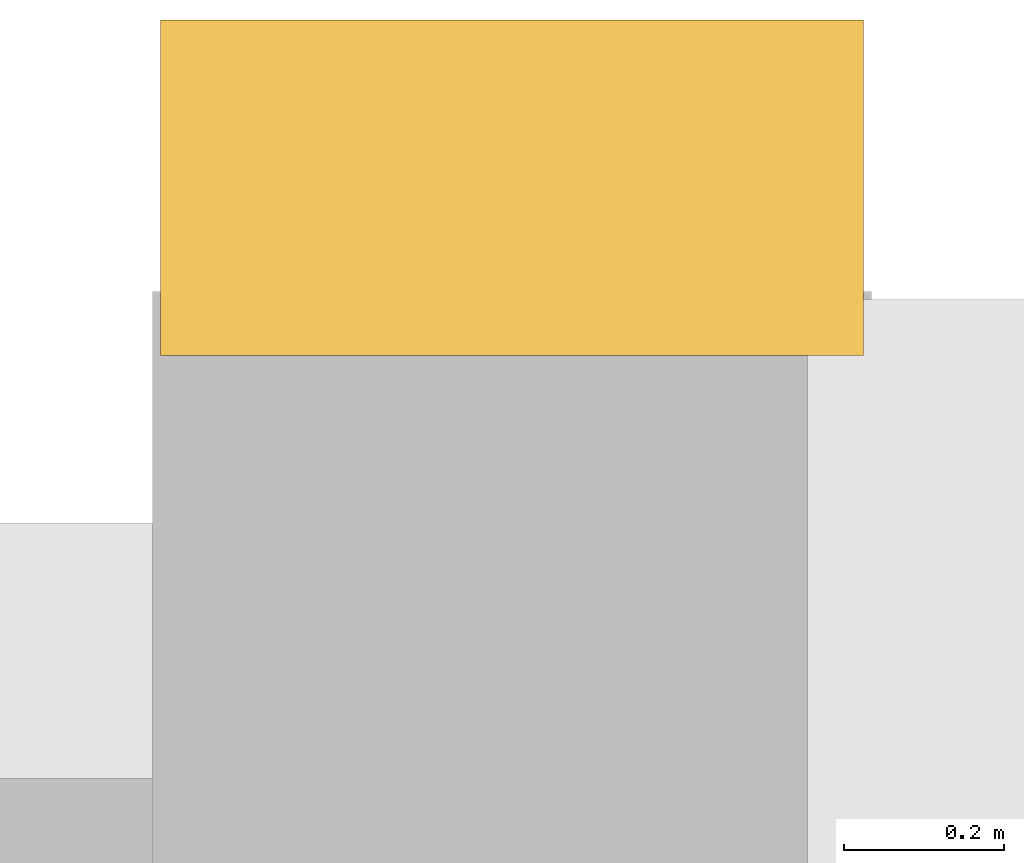
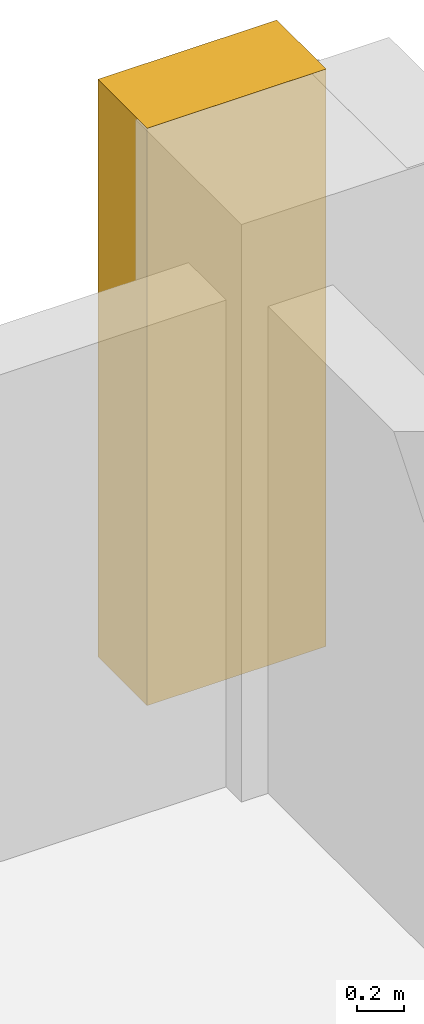
# One storey, part 22 of 22: 1 covering.
"""IFC4 building model written with IfcOpenShell, lengths in metres."""

from ifc_helpers import new_model, si_unit, direction, frame, origin, origin_2d, place, context, subcontext, project, spatial, rectangle, extrude, material, layer, layer_set, type_object, element, save


model = new_model("IFC4")

# Units and contexts
model_context = context("Model", 3, precision=1e-05, world=origin(), true_north=direction((0.0, 1.0)))
body_context = subcontext(model_context, "Body", "Model", "MODEL_VIEW")
ifc_project = project(units=[si_unit("LENGTHUNIT", "METRE"), si_unit("AREAUNIT", "SQUARE_METRE"), si_unit("VOLUMEUNIT", "CUBIC_METRE"), si_unit("PLANEANGLEUNIT", "RADIAN"), si_unit("MASSUNIT", "GRAM", prefix="KILO")], contexts=[model_context])

# Site, building, storey
site_placement = place(None, origin())
site = spatial("IfcSite", under=ifc_project, at=site_placement, CompositionType="ELEMENT")
building_placement = place(site_placement, origin())
building = spatial("IfcBuilding", under=site, at=building_placement, Name="Akrevak Sports Hall", CompositionType="ELEMENT")
storey_placement = place(building_placement, frame((0.0, 0.0, 30.800048828125)))
storey = spatial("IfcBuildingStorey", under=building, at=storey_placement, Name="L06", CompositionType="ELEMENT", Elevation=30.800048828125)

# Covering
ifc_material = material(Name="Limestone Ashlar", Category="stone")
ifc_layer = layer(ifc_material, 0.47998046875, Name="Limestone Ashlar")
ifc_layer_set = layer_set([ifc_layer], Name="Limestone Ashlar")
covering_type = type_object("IfcCoveringType", Name="ARC-COV-PIL-LIM", PredefinedType="CLADDING", material=ifc_layer_set)
covering_placement = place(storey_placement, frame((115.5, 70.179931640625, 0.0), z_axis=(0.0, 0.0, 1.0), x_axis=(-1.0, 0.0, 0.0)))
element("IfcCovering", 1, at=covering_placement, inside=storey, type_object=covering_type, Name="Giant-Order Limestone Pilaster L06-07-28", PredefinedType="CLADDING", context=body_context, shape_type="SweptSolid", body=[
    extrude(rectangle(XDim=0.8798828125, YDim=0.419921875, at=origin_2d()), origin(), (0.0, 0.0, 1.0), 3.0),
])

save(model, "model.ifc")
